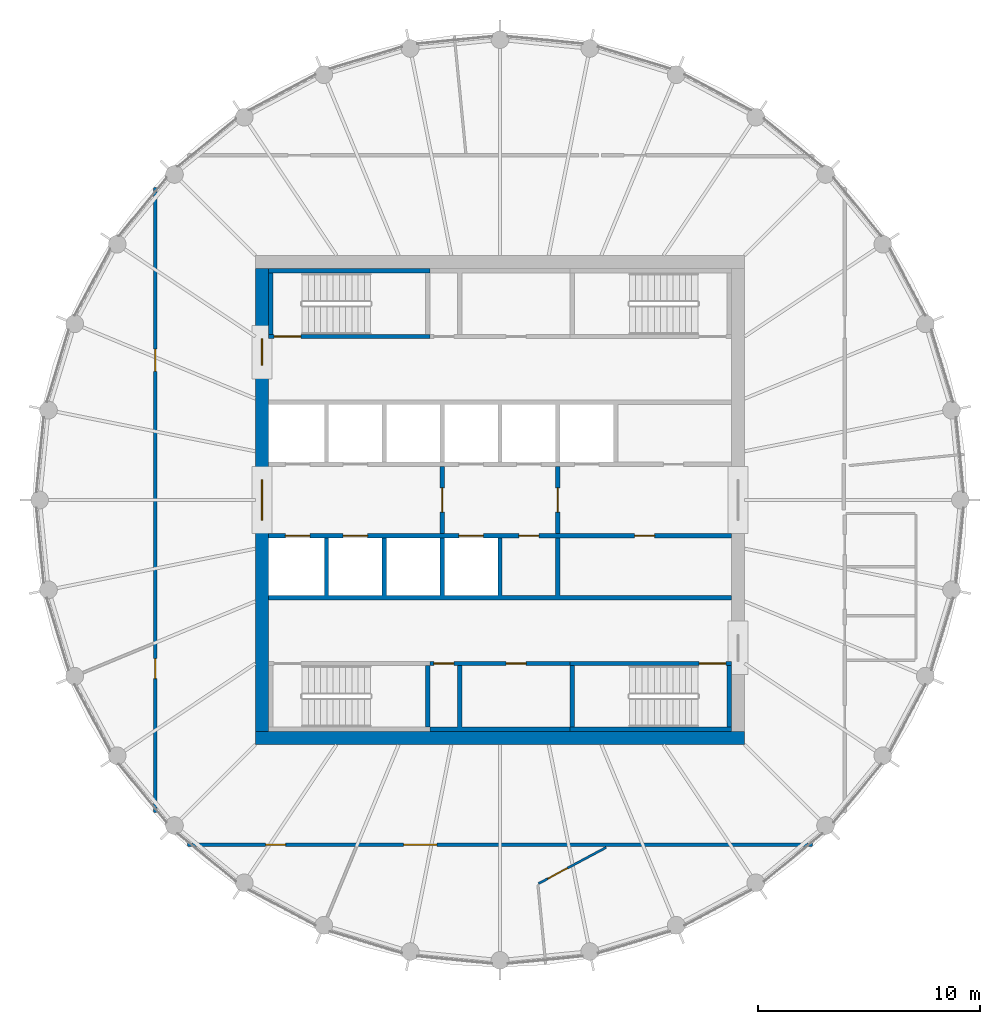
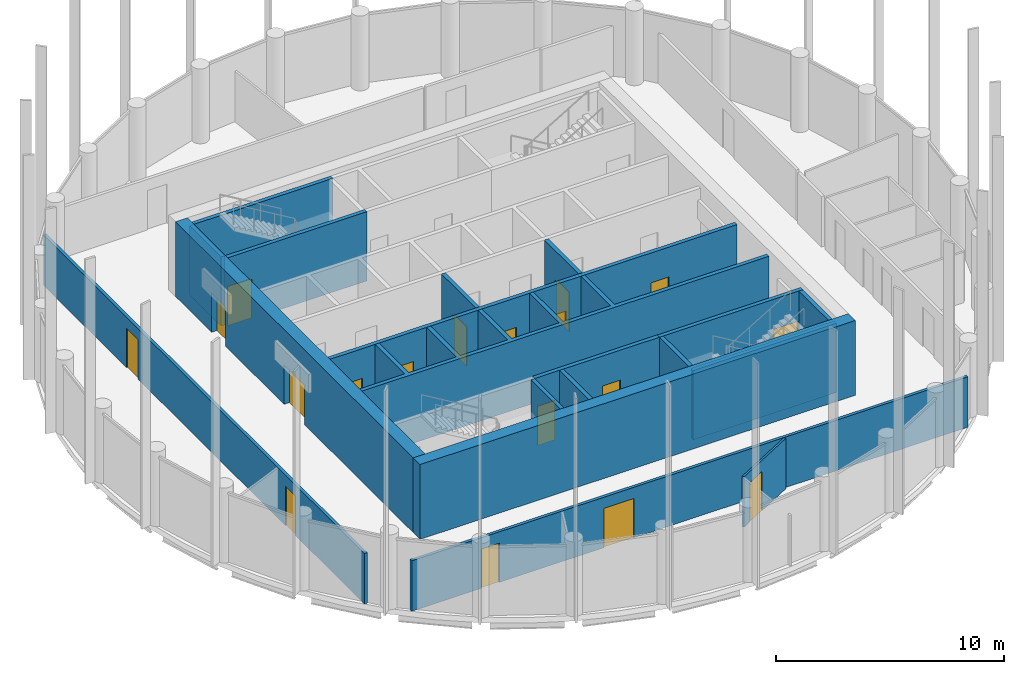
# One storey, part 4 of 7: 19 walls, 18 doors, 18 openings.
"""IFC4 building model written with IfcOpenShell, lengths in metres."""

import ifcopenshell
import ifcopenshell.guid

model = None  # the IFC model being written
_history = None  # IfcOwnerHistory: only IFC2X3 demands one
_inside = {}  # id of a spatial element -> (the spatial element, [elements in it])
_under = {}  # id of a project, library or spatial element -> (it, [spatial elements below it])
_declared = {}  # id of a project -> (the project, [libraries it declares])
_typed = {}  # id of a type object -> (the type object, [elements of that type])
_made_of = {}  # id of a material, layer set ... -> (it, [elements and type objects made of it])


def new_model(schema):
    """Start an empty IFC model of exactly this schema.

    Asked for "IFC4X3", IfcOpenShell would pick the latest addendum, in which some entities
    have other attributes; the version numbers below select the first issue.
    IFC2X3 requires an IfcOwnerHistory on every rooted entity: one is made here for all.
    """
    global model, _history
    if schema == "IFC4X3":
        model = ifcopenshell.file(schema_version=(4, 3, 0, 0))
    else:
        model = ifcopenshell.file(schema=schema)
    _inside.clear()
    _under.clear()
    _declared.clear()
    _typed.clear()
    _made_of.clear()
    _history = None
    if model.schema == "IFC2X3":
        org = make("IfcOrganization", Name="unknown")
        user = make(
            "IfcPersonAndOrganization",
            ThePerson=make("IfcPerson", FamilyName="unknown"),
            TheOrganization=org,
        )
        app = make(
            "IfcApplication",
            ApplicationDeveloper=org,
            Version="unknown",
            ApplicationFullName="unknown",
            ApplicationIdentifier="unknown",
        )
        _history = make(
            "IfcOwnerHistory",
            OwningUser=user,
            OwningApplication=app,
            ChangeAction="ADDED",
            CreationDate=0,
        )
    return model


def make(cls, **values):
    """One entity of the class cls with the attributes given. An attribute that is None is left unset."""
    return model.create_entity(
        cls, **{name: value for name, value in values.items() if value is not None}
    )


def rooted(cls, **values):
    """An entity with a GlobalId (a new one), such as an element, a storey or a relation."""
    return make(cls, GlobalId=ifcopenshell.guid.new(), OwnerHistory=_history, **values)


def si_unit(unit_type, name, prefix=None):
    """IfcSIUnit, for example si_unit("LENGTHUNIT", "METRE", prefix="MILLI")."""
    return make("IfcSIUnit", UnitType=unit_type, Prefix=prefix, Name=name)


def assignment(units):
    """IfcUnitAssignment: the units of a project."""
    return None if units is None else make("IfcUnitAssignment", Units=units)


def point(xyz):
    """IfcCartesianPoint."""
    return None if xyz is None else make("IfcCartesianPoint", Coordinates=xyz)


def direction(xyz):
    """IfcDirection."""
    return None if xyz is None else make("IfcDirection", DirectionRatios=xyz)


def frame(location, z_axis=None, x_axis=None):
    """IfcAxis2Placement3D, a coordinate frame: its origin and axes. An axis left out is left unset."""
    return make(
        "IfcAxis2Placement3D",
        Location=point(location),
        Axis=direction(z_axis),
        RefDirection=direction(x_axis),
    )


def frame_2d(location, x_axis=None):
    """IfcAxis2Placement2D, a coordinate frame in the plane: its origin and x axis."""
    return make(
        "IfcAxis2Placement2D", Location=point(location), RefDirection=direction(x_axis)
    )


def origin():
    """The frame at (0, 0, 0) with its axes left unset."""
    return frame((0.0, 0.0, 0.0))


def place(relative_to, where):
    """IfcLocalPlacement: puts the frame where relative to a parent placement (None: the world)."""
    return make(
        "IfcLocalPlacement", PlacementRelTo=relative_to, RelativePlacement=where
    )


def context(
    kind, dimensions, precision=None, world=None, true_north=None, identifier=None
):
    """IfcGeometricRepresentationContext, for example the 3D "Model" context."""
    return make(
        "IfcGeometricRepresentationContext",
        ContextIdentifier=identifier,
        ContextType=kind,
        CoordinateSpaceDimension=dimensions,
        Precision=precision,
        WorldCoordinateSystem=world,
        TrueNorth=true_north,
    )


def subcontext(parent, identifier, kind, view, scale=None):
    """IfcGeometricRepresentationSubContext, for example "Body" below "Model"."""
    return make(
        "IfcGeometricRepresentationSubContext",
        ContextIdentifier=identifier,
        ContextType=kind,
        ParentContext=parent,
        TargetScale=scale,
        TargetView=view,
    )


def project(units=None, contexts=None):
    """IfcProject with its units and contexts."""
    return rooted(
        "IfcProject",
        Name="project",
        RepresentationContexts=contexts,
        UnitsInContext=assignment(units),
    )


def spatial(cls, under=None, at=None, **own):
    """A site, building, storey or space (cls), placed at a placement, below another one or the project."""
    s = rooted(cls, ObjectPlacement=at, **own)
    if under is not None:
        _under.setdefault(under.id(), (under, []))[1].append(s)
    return s


def polyline(points):
    """IfcPolyline through the points."""
    return make("IfcPolyline", Points=[point(p) for p in points])


def profile(cls, at=None, kind="AREA", **sizes):
    """A parametric profile (cls). Its sizes go by their IFC names, for example OverallWidth=200.0."""
    return make(cls, ProfileType=kind, Position=at, **sizes)


def rectangle(**sizes):
    """IfcRectangleProfileDef."""
    return profile("IfcRectangleProfileDef", **sizes)


def outline(outer, holes=None, kind="AREA"):
    """IfcArbitraryClosedProfileDef: a profile drawn as a closed curve; with holes, ...WithVoids."""
    if holes is None:
        return make("IfcArbitraryClosedProfileDef", ProfileType=kind, OuterCurve=outer)
    return make(
        "IfcArbitraryProfileDefWithVoids",
        ProfileType=kind,
        OuterCurve=outer,
        InnerCurves=holes,
    )


def extrude(swept, where, along, depth):
    """IfcExtrudedAreaSolid: the profile swept, set in the frame where, extruded along a direction by depth."""
    return make(
        "IfcExtrudedAreaSolid",
        SweptArea=swept,
        Position=where,
        ExtrudedDirection=direction(along),
        Depth=depth,
    )


def shape(context_of_items, identifier, shape_type, items):
    """IfcShapeRepresentation: the items that make up one representation, for example the "Body"."""
    return make(
        "IfcShapeRepresentation",
        ContextOfItems=context_of_items,
        RepresentationIdentifier=identifier,
        RepresentationType=shape_type,
        Items=items,
    )


def material(Name=None, Category=None):
    """IfcMaterial."""
    return make("IfcMaterial", Name=Name, Category=Category)


def layer(
    of_material, thickness, ventilated=None, Name=None, Category=None, Priority=None
):
    """IfcMaterialLayer: one layer of a wall or slab, of a material (None: an air gap)."""
    return make(
        "IfcMaterialLayer",
        Material=of_material,
        LayerThickness=thickness,
        IsVentilated=ventilated,
        Name=Name,
        Category=Category,
        Priority=Priority,
    )


def layer_set(layers, Name=None):
    """IfcMaterialLayerSet."""
    return make("IfcMaterialLayerSet", MaterialLayers=layers, LayerSetName=Name)


def made_of(thing, what):
    """Note that an element or type object is made of a material, layer set ...; save() writes the relation."""
    if what is not None:
        _made_of.setdefault(what.id(), (what, []))[1].append(thing)
    return thing


def type_object(cls, material=None, **own):
    """A type object (cls), such as IfcWallType, which elements share."""
    return made_of(rooted(cls, **own), material)


def element(
    cls,
    number,
    at=None,
    inside=None,
    cuts=None,
    type_object=None,
    material=None,
    context=None,
    identifier="Body",
    shape_type=None,
    held_by="IfcProductDefinitionShape",
    body=None,
    shapes=None,
    **own,
):
    """One element of the class cls, such as IfcWall. Its Tag is "e" and its number.

    at: its placement. inside: the storey or other place that contains it. cuts: it is an
    opening in that element (IfcRelVoidsElement). A single representation is given by context,
    identifier, shape_type and body (its items); several are given by shapes. held_by: the class
    of the entity that holds the representations. save() writes the other relations.
    """
    e = rooted(cls, Tag="e%d" % number, ObjectPlacement=at, **own)
    if body is not None:
        shapes = [shape(context, identifier, shape_type, body)]
    if shapes is not None:
        e.Representation = make(held_by, Representations=shapes)
    if inside is not None:
        _inside.setdefault(inside.id(), (inside, []))[1].append(e)
    if cuts is not None:
        rooted(
            "IfcRelVoidsElement", RelatingBuildingElement=cuts, RelatedOpeningElement=e
        )
    if type_object is not None:
        _typed.setdefault(type_object.id(), (type_object, []))[1].append(e)
    return made_of(e, material)


def fill(opening, filler):
    """IfcRelFillsElement: the door or window that sits in an opening."""
    return rooted(
        "IfcRelFillsElement",
        RelatingOpeningElement=opening,
        RelatedBuildingElement=filler,
    )


def aggregate(whole, parts):
    """IfcRelAggregates: a whole, such as a stair, and the parts it consists of."""
    return rooted("IfcRelAggregates", RelatingObject=whole, RelatedObjects=parts)


def save(model, path):
    """Write the relations noted so far, then the file.

    IfcRelAggregates (storeys below a building ...), IfcRelContainedInSpatialStructure (elements
    in a storey), IfcRelDefinesByType, IfcRelAssociatesMaterial and IfcRelDeclares: one each for
    every whole, place, type object, material and project.
    """
    for whole, parts in _under.values():
        aggregate(whole, parts)
    for where, things in _inside.values():
        rooted(
            "IfcRelContainedInSpatialStructure",
            RelatedElements=things,
            RelatingStructure=where,
        )
    for kind, things in _typed.values():
        rooted("IfcRelDefinesByType", RelatedObjects=things, RelatingType=kind)
    for what, things in _made_of.values():
        rooted("IfcRelAssociatesMaterial", RelatedObjects=things, RelatingMaterial=what)
    for by, libraries in _declared.values():
        rooted("IfcRelDeclares", RelatingContext=by, RelatedDefinitions=libraries)
    model.write(path)


model = new_model("IFC4")

# Units and contexts
model_context = context("Model", 3, precision=1e-05, world=origin(), true_north=direction((0.0, 1.0)))
body_context = subcontext(model_context, "Body", "Model", "MODEL_VIEW")
ifc_project = project(units=[si_unit("LENGTHUNIT", "METRE"), si_unit("AREAUNIT", "SQUARE_METRE"), si_unit("VOLUMEUNIT", "CUBIC_METRE"), si_unit("PLANEANGLEUNIT", "RADIAN"), si_unit("MASSUNIT", "GRAM", prefix="KILO")], contexts=[model_context])

# Site, building, storey
site_placement = place(None, origin())
site = spatial("IfcSite", under=ifc_project, at=site_placement, CompositionType="ELEMENT")
building_placement = place(site_placement, origin())
building = spatial("IfcBuilding", under=site, at=building_placement, Name="Corvane Civic Tower", CompositionType="ELEMENT")
storey_placement = place(building_placement, frame((0.0, 0.0, 356.5)))
storey = spatial("IfcBuildingStorey", under=building, at=storey_placement, Name="L85", CompositionType="ELEMENT", Elevation=356.5)

# Wall
ifc_material_1 = material(Name="Concrete C40/50", Category="concrete")
ifc_layer_1 = layer(ifc_material_1, 0.60009765625)
ifc_layer_set_1 = layer_set([ifc_layer_1], Name="Concrete C40/50")
wall_type_1 = type_object("IfcWallType", Name="CORE WALL 600 C40/50", PredefinedType="SHEAR", material=ifc_layer_set_1)
wall_1_placement = place(storey_placement, frame((-11.0, -10.699951171875, 0.0), z_axis=(0.0, 0.0, 1.0), x_axis=(1.0, 0.0, 0.0)))
element("IfcWall", 1, at=wall_1_placement, inside=storey, type_object=wall_type_1, Name="W-L85-core-S", PredefinedType="SHEAR", context=body_context, shape_type="SweptSolid", body=[
    extrude(rectangle(XDim=22.0, YDim=0.60009765625, at=frame_2d((11.0, 0.0))), origin(), (0.0, 0.0, 1.0), 4.0),
])

# Wall, openings, doors
wall_2_placement = place(storey_placement, frame((-10.699951171875, -10.39990234375, 0.0), z_axis=(0.0, 0.0, 1.0), x_axis=(0.0, 1.0, 0.0)))
wall_2 = element("IfcWall", 2, at=wall_2_placement, inside=storey, type_object=wall_type_1, Name="W-L85-core-W", PredefinedType="SHEAR", context=body_context, shape_type="SweptSolid", body=[
    extrude(rectangle(XDim=20.7998046875, YDim=0.60009765625, at=frame_2d((10.39990234375, 0.0))), origin(), (0.0, 0.0, 1.0), 4.0),
])
opening_1_placement = place(wall_2_placement, frame((9.5, 0.0, 0.0)))
opening_1 = element("IfcOpeningElement", 3, at=opening_1_placement, cuts=wall_2, Name="Opening L85.C14", PredefinedType="OPENING", context=body_context, shape_type="SweptSolid", body=[
    extrude(rectangle(XDim=1.800048828125, YDim=2.10009765625, at=frame_2d((0.89990234375, 1.050048828125))), frame((0.0, 0.31005859375, 0.0), z_axis=(0.0, -1.0, 0.0), x_axis=(1.0, 0.0, 0.0)), (0.0, 0.0, 1.0), 0.6201171875),
])
opening_2_placement = place(wall_2_placement, frame((16.449951171875, 0.0, 0.0)))
opening_2 = element("IfcOpeningElement", 4, at=opening_2_placement, cuts=wall_2, Name="Opening L85.C16", PredefinedType="OPENING", context=body_context, shape_type="SweptSolid", body=[
    extrude(rectangle(XDim=1.199951171875, YDim=2.10009765625, at=frame_2d((0.60009765625, 1.050048828125))), frame((0.0, 0.31005859375, 0.0), z_axis=(0.0, -1.0, 0.0), x_axis=(1.0, 0.0, 0.0)), (0.0, 0.0, 1.0), 0.6201171875),
])
ifc_material_2 = material(Name="Steel fire door leaf", Category="steel")
door_type_1 = type_object("IfcDoorType", Name="CR-DOOR-CORE-1800", OperationType="DOUBLE_DOOR_SINGLE_SWING", PredefinedType="DOOR", material=ifc_material_2)
door_1_placement = place(opening_1_placement, origin())
door_1 = element("IfcDoor", 5, at=door_1_placement, inside=storey, type_object=door_type_1, Name="L85 door", OperationType="DOUBLE_DOOR_SINGLE_SWING", OverallHeight=2.10009765625, OverallWidth=1.800048828125, PredefinedType="DOOR", context=body_context, shape_type="SweptSolid", body=[
    extrude(rectangle(XDim=1.800048828125, YDim=2.10009765625, at=frame_2d((0.89990234375, 1.050048828125))), frame((0.0, 0.02490234375, 0.0), z_axis=(0.0, -1.0, 0.0), x_axis=(1.0, 0.0, 0.0)), (0.0, 0.0, 1.0), 0.050048828125),
])
fill(opening_1, door_1)
door_2_placement = place(opening_2_placement, origin())
door_2 = element("IfcDoor", 6, at=door_2_placement, inside=storey, type_object=door_type_1, Name="L85 door", OperationType="DOUBLE_DOOR_SINGLE_SWING", OverallHeight=2.10009765625, OverallWidth=1.199951171875, PredefinedType="DOOR", context=body_context, shape_type="SweptSolid", body=[
    extrude(rectangle(XDim=1.199951171875, YDim=2.10009765625, at=frame_2d((0.60009765625, 1.050048828125))), frame((0.0, 0.02490234375, 0.0), z_axis=(0.0, -1.0, 0.0), x_axis=(1.0, 0.0, 0.0)), (0.0, 0.0, 1.0), 0.050048828125),
])
fill(opening_2, door_2)

ifc_material_3 = material(Name="Concrete C30/37", Category="concrete")
ifc_layer_2 = layer(ifc_material_3, 0.199951171875)
ifc_layer_set_2 = layer_set([ifc_layer_2], Name="Concrete C30/37")
wall_type_2 = type_object("IfcWallType", Name="CR-WALL-200", PredefinedType="PARTITIONING", material=ifc_layer_set_2)
wall_3_placement = place(storey_placement, frame((-3.14990234375, -7.35009765625, 0.0), z_axis=(0.0, 0.0, 1.0), x_axis=(1.0, 0.0, 0.0)))
wall_3 = element("IfcWall", 7, at=wall_3_placement, inside=storey, type_object=wall_type_2, Name="L85 core partition wall", PredefinedType="PARTITIONING", context=body_context, shape_type="SweptSolid", body=[
    extrude(rectangle(XDim=6.2998046875, YDim=0.199951171875, at=frame_2d((3.14990234375, 0.0))), origin(), (0.0, 0.0, 1.0), 3.699951171875),
])
opening_3_placement = place(wall_3_placement, frame((0.175048828125, 0.0, 0.0)))
opening_3 = element("IfcOpeningElement", 8, at=opening_3_placement, cuts=wall_3, Name="Opening L85.C06", PredefinedType="OPENING", context=body_context, shape_type="SweptSolid", body=[
    extrude(rectangle(XDim=0.89990234375, YDim=2.10009765625, at=frame_2d((0.449951171875, 1.050048828125))), frame((0.0, 0.10986328125, 0.0), z_axis=(0.0, -1.0, 0.0), x_axis=(1.0, 0.0, 0.0)), (0.0, 0.0, 1.0), 0.219970703125),
])
opening_4_placement = place(wall_3_placement, frame((3.425048828125, 0.0, 0.0)))
opening_4 = element("IfcOpeningElement", 9, at=opening_4_placement, cuts=wall_3, Name="Opening L85.C07", PredefinedType="OPENING", context=body_context, shape_type="SweptSolid", body=[
    extrude(rectangle(XDim=0.89990234375, YDim=2.10009765625, at=frame_2d((0.449951171875, 1.050048828125))), frame((0.0, 0.10986328125, 0.0), z_axis=(0.0, -1.0, 0.0), x_axis=(1.0, 0.0, 0.0)), (0.0, 0.0, 1.0), 0.219970703125),
])
ifc_material_4 = material(Name="Steel fire door leaf", Category="steel")
door_type_2 = type_object("IfcDoorType", Name="CR-DOOR-900", OperationType="SINGLE_SWING_LEFT", PredefinedType="DOOR", material=ifc_material_4)
door_3_placement = place(opening_3_placement, origin())
door_3 = element("IfcDoor", 10, at=door_3_placement, inside=storey, type_object=door_type_2, Name="L85 door", OperationType="SINGLE_SWING_LEFT", OverallHeight=2.10009765625, OverallWidth=0.89990234375, PredefinedType="DOOR", context=body_context, shape_type="SweptSolid", body=[
    extrude(rectangle(XDim=0.89990234375, YDim=2.10009765625, at=frame_2d((0.449951171875, 1.050048828125))), frame((0.0, 0.02490234375, 0.0), z_axis=(0.0, -1.0, 0.0), x_axis=(1.0, 0.0, 0.0)), (0.0, 0.0, 1.0), 0.050048828125),
])
fill(opening_3, door_3)
door_4_placement = place(opening_4_placement, origin())
door_4 = element("IfcDoor", 11, at=door_4_placement, inside=storey, type_object=door_type_2, Name="L85 door", OperationType="SINGLE_SWING_LEFT", OverallHeight=2.10009765625, OverallWidth=0.89990234375, PredefinedType="DOOR", context=body_context, shape_type="SweptSolid", body=[
    extrude(rectangle(XDim=0.89990234375, YDim=2.10009765625, at=frame_2d((0.449951171875, 1.050048828125))), frame((0.0, 0.02490234375, 0.0), z_axis=(0.0, -1.0, 0.0), x_axis=(1.0, 0.0, 0.0)), (0.0, 0.0, 1.0), 0.050048828125),
])
fill(opening_4, door_4)

wall_4_placement = place(storey_placement, frame((-10.39990234375, -1.60009765625, 0.0), z_axis=(0.0, 0.0, 1.0), x_axis=(1.0, 0.0, 0.0)))
wall_4 = element("IfcWall", 12, at=wall_4_placement, inside=storey, type_object=wall_type_2, Name="L85 lift shaft wall", PredefinedType="PARTITIONING", context=body_context, shape_type="SweptSolid", body=[
    extrude(rectangle(XDim=20.7998046875, YDim=0.199951171875, at=frame_2d((10.39990234375, 0.0))), origin(), (0.0, 0.0, 1.0), 3.699951171875),
])
opening_5_placement = place(wall_4_placement, frame((0.75, 0.0, 0.0)))
opening_5 = element("IfcOpeningElement", 13, at=opening_5_placement, cuts=wall_4, Name="Opening LD", PredefinedType="OPENING", context=body_context, shape_type="SweptSolid", body=[
    extrude(rectangle(XDim=1.10009765625, YDim=2.10009765625, at=frame_2d((0.550048828125, 1.050048828125))), frame((0.0, 0.10986328125, 0.0), z_axis=(0.0, -1.0, 0.0), x_axis=(1.0, 0.0, 0.0)), (0.0, 0.0, 1.0), 0.219970703125),
])
opening_6_placement = place(wall_4_placement, frame((3.35009765625, 0.0, 0.0)))
opening_6 = element("IfcOpeningElement", 14, at=opening_6_placement, cuts=wall_4, Name="Opening LD", PredefinedType="OPENING", context=body_context, shape_type="SweptSolid", body=[
    extrude(rectangle(XDim=1.10009765625, YDim=2.10009765625, at=frame_2d((0.550048828125, 1.050048828125))), frame((0.0, 0.10986328125, 0.0), z_axis=(0.0, -1.0, 0.0), x_axis=(1.0, 0.0, 0.0)), (0.0, 0.0, 1.0), 0.219970703125),
])
opening_7_placement = place(wall_4_placement, frame((8.550048828125, 0.0, 0.0)))
opening_7 = element("IfcOpeningElement", 15, at=opening_7_placement, cuts=wall_4, Name="Opening LD", PredefinedType="OPENING", context=body_context, shape_type="SweptSolid", body=[
    extrude(rectangle(XDim=1.10009765625, YDim=2.10009765625, at=frame_2d((0.550048828125, 1.050048828125))), frame((0.0, 0.10986328125, 0.0), z_axis=(0.0, -1.0, 0.0), x_axis=(1.0, 0.0, 0.0)), (0.0, 0.0, 1.0), 0.219970703125),
])
opening_8_placement = place(wall_4_placement, frame((11.25, 0.0, 0.0)))
opening_8 = element("IfcOpeningElement", 16, at=opening_8_placement, cuts=wall_4, Name="Opening L85.C02", PredefinedType="OPENING", context=body_context, shape_type="SweptSolid", body=[
    extrude(rectangle(XDim=0.89990234375, YDim=2.10009765625, at=frame_2d((0.449951171875, 1.050048828125))), frame((0.0, 0.10986328125, 0.0), z_axis=(0.0, -1.0, 0.0), x_axis=(1.0, 0.0, 0.0)), (0.0, 0.0, 1.0), 0.219970703125),
])
opening_9_placement = place(wall_4_placement, frame((16.449951171875, 0.0, 0.0)))
opening_9 = element("IfcOpeningElement", 17, at=opening_9_placement, cuts=wall_4, Name="Opening L85.C03", PredefinedType="OPENING", context=body_context, shape_type="SweptSolid", body=[
    extrude(rectangle(XDim=0.89990234375, YDim=2.10009765625, at=frame_2d((0.449951171875, 1.050048828125))), frame((0.0, 0.10986328125, 0.0), z_axis=(0.0, -1.0, 0.0), x_axis=(1.0, 0.0, 0.0)), (0.0, 0.0, 1.0), 0.219970703125),
])
door_5_placement = place(opening_8_placement, origin())
door_5 = element("IfcDoor", 18, at=door_5_placement, inside=storey, type_object=door_type_2, Name="L85 door", OperationType="SINGLE_SWING_LEFT", OverallHeight=2.10009765625, OverallWidth=0.89990234375, PredefinedType="DOOR", context=body_context, shape_type="SweptSolid", body=[
    extrude(rectangle(XDim=0.89990234375, YDim=2.10009765625, at=frame_2d((0.449951171875, 1.050048828125))), frame((0.0, 0.02490234375, 0.0), z_axis=(0.0, -1.0, 0.0), x_axis=(1.0, 0.0, 0.0)), (0.0, 0.0, 1.0), 0.050048828125),
])
fill(opening_8, door_5)
door_6_placement = place(opening_9_placement, origin())
door_6 = element("IfcDoor", 19, at=door_6_placement, inside=storey, type_object=door_type_2, Name="L85 door", OperationType="SINGLE_SWING_LEFT", OverallHeight=2.10009765625, OverallWidth=0.89990234375, PredefinedType="DOOR", context=body_context, shape_type="SweptSolid", body=[
    extrude(rectangle(XDim=0.89990234375, YDim=2.10009765625, at=frame_2d((0.449951171875, 1.050048828125))), frame((0.0, 0.02490234375, 0.0), z_axis=(0.0, -1.0, 0.0), x_axis=(1.0, 0.0, 0.0)), (0.0, 0.0, 1.0), 0.050048828125),
])
fill(opening_9, door_6)
ifc_material_5 = material(Name="Stainless steel 316 door leaves", Category="steel")
door_type_3 = type_object("IfcDoorType", Name="LD", OperationType="DOUBLE_DOOR_SLIDING", PredefinedType="DOOR", material=ifc_material_5)
door_7_placement = place(opening_5_placement, origin())
door_7 = element("IfcDoor", 20, at=door_7_placement, inside=storey, type_object=door_type_3, Name="L85 landing door", OperationType="DOUBLE_DOOR_SLIDING", OverallHeight=2.10009765625, OverallWidth=1.10009765625, PredefinedType="DOOR", context=body_context, shape_type="SweptSolid", body=[
    extrude(rectangle(XDim=1.10009765625, YDim=2.10009765625, at=frame_2d((0.550048828125, 1.050048828125))), frame((0.0, 0.02490234375, 0.0), z_axis=(0.0, -1.0, 0.0), x_axis=(1.0, 0.0, 0.0)), (0.0, 0.0, 1.0), 0.050048828125),
])
fill(opening_5, door_7)
door_8_placement = place(opening_6_placement, origin())
door_8 = element("IfcDoor", 21, at=door_8_placement, inside=storey, type_object=door_type_3, Name="L85 landing door", OperationType="DOUBLE_DOOR_SLIDING", OverallHeight=2.10009765625, OverallWidth=1.10009765625, PredefinedType="DOOR", context=body_context, shape_type="SweptSolid", body=[
    extrude(rectangle(XDim=1.10009765625, YDim=2.10009765625, at=frame_2d((0.550048828125, 1.050048828125))), frame((0.0, 0.02490234375, 0.0), z_axis=(0.0, -1.0, 0.0), x_axis=(1.0, 0.0, 0.0)), (0.0, 0.0, 1.0), 0.050048828125),
])
fill(opening_6, door_8)
door_9_placement = place(opening_7_placement, origin())
door_9 = element("IfcDoor", 22, at=door_9_placement, inside=storey, type_object=door_type_3, Name="L85 landing door", OperationType="DOUBLE_DOOR_SLIDING", OverallHeight=2.10009765625, OverallWidth=1.10009765625, PredefinedType="DOOR", context=body_context, shape_type="SweptSolid", body=[
    extrude(rectangle(XDim=1.10009765625, YDim=2.10009765625, at=frame_2d((0.550048828125, 1.050048828125))), frame((0.0, 0.02490234375, 0.0), z_axis=(0.0, -1.0, 0.0), x_axis=(1.0, 0.0, 0.0)), (0.0, 0.0, 1.0), 0.050048828125),
])
fill(opening_7, door_9)

# Wall, opening, door
wall_5_placement = place(storey_placement, frame((-2.60009765625, -1.5, 0.0), z_axis=(0.0, 0.0, 1.0), x_axis=(0.0, 1.0, 0.0)))
wall_5 = element("IfcWall", 23, at=wall_5_placement, inside=storey, type_object=wall_type_2, Name="L85 firefighting lobby wall", PredefinedType="PARTITIONING", context=body_context, shape_type="SweptSolid", body=[
    extrude(rectangle(XDim=3.0, YDim=0.199951171875, at=frame_2d((1.5, 0.0))), origin(), (0.0, 0.0, 1.0), 3.699951171875),
])
opening_10_placement = place(wall_5_placement, frame((0.949951171875, 0.0, 0.0)))
opening_10 = element("IfcOpeningElement", 24, at=opening_10_placement, cuts=wall_5, Name="Opening L85.C12", PredefinedType="OPENING", context=body_context, shape_type="SweptSolid", body=[
    extrude(rectangle(XDim=1.10009765625, YDim=2.10009765625, at=frame_2d((0.550048828125, 1.050048828125))), frame((0.0, 0.10986328125, 0.0), z_axis=(0.0, -1.0, 0.0), x_axis=(1.0, 0.0, 0.0)), (0.0, 0.0, 1.0), 0.219970703125),
])
ifc_material_6 = material(Name="Steel fire door leaf", Category="steel")
door_type_4 = type_object("IfcDoorType", Name="CR-DOOR-FFL-1100", OperationType="SINGLE_SWING_LEFT", PredefinedType="DOOR", material=ifc_material_6)
door_10_placement = place(opening_10_placement, origin())
door_10 = element("IfcDoor", 25, at=door_10_placement, inside=storey, type_object=door_type_4, Name="L85 lobby door", OperationType="SINGLE_SWING_LEFT", OverallHeight=2.10009765625, OverallWidth=1.10009765625, PredefinedType="DOOR", context=body_context, shape_type="SweptSolid", body=[
    extrude(rectangle(XDim=1.10009765625, YDim=2.10009765625, at=frame_2d((0.550048828125, 1.050048828125))), frame((0.0, 0.02490234375, 0.0), z_axis=(0.0, -1.0, 0.0), x_axis=(1.0, 0.0, 0.0)), (0.0, 0.0, 1.0), 0.050048828125),
])
fill(opening_10, door_10)

wall_6_placement = place(storey_placement, frame((2.60009765625, -1.5, 0.0), z_axis=(0.0, 0.0, 1.0), x_axis=(0.0, 1.0, 0.0)))
wall_6 = element("IfcWall", 26, at=wall_6_placement, inside=storey, type_object=wall_type_2, Name="L85 firefighting lobby wall", PredefinedType="PARTITIONING", context=body_context, shape_type="SweptSolid", body=[
    extrude(rectangle(XDim=3.0, YDim=0.199951171875, at=frame_2d((1.5, 0.0))), origin(), (0.0, 0.0, 1.0), 3.699951171875),
])
opening_11_placement = place(wall_6_placement, frame((0.949951171875, 0.0, 0.0)))
opening_11 = element("IfcOpeningElement", 27, at=opening_11_placement, cuts=wall_6, Name="Opening L85.C13", PredefinedType="OPENING", context=body_context, shape_type="SweptSolid", body=[
    extrude(rectangle(XDim=1.10009765625, YDim=2.10009765625, at=frame_2d((0.550048828125, 1.050048828125))), frame((0.0, 0.10986328125, 0.0), z_axis=(0.0, -1.0, 0.0), x_axis=(1.0, 0.0, 0.0)), (0.0, 0.0, 1.0), 0.219970703125),
])
door_11_placement = place(opening_11_placement, origin())
door_11 = element("IfcDoor", 28, at=door_11_placement, inside=storey, type_object=door_type_4, Name="L85 lobby door", OperationType="SINGLE_SWING_LEFT", OverallHeight=2.10009765625, OverallWidth=1.10009765625, PredefinedType="DOOR", context=body_context, shape_type="SweptSolid", body=[
    extrude(rectangle(XDim=1.10009765625, YDim=2.10009765625, at=frame_2d((0.550048828125, 1.050048828125))), frame((0.0, 0.02490234375, 0.0), z_axis=(0.0, -1.0, 0.0), x_axis=(1.0, 0.0, 0.0)), (0.0, 0.0, 1.0), 0.050048828125),
])
fill(opening_11, door_11)

# Walls
wall_7_placement = place(storey_placement, origin())
element("IfcWall", 29, at=wall_7_placement, inside=storey, type_object=wall_type_2, Name="L85 core partition wall", PredefinedType="PARTITIONING", context=body_context, shape_type="SweptSolid", body=[
    extrude(outline(polyline([(-7.89990234375, -1.699951171875), (-7.699951171875, -1.699951171875), (-7.699951171875, -4.300048828125), (-5.300048828125, -4.300048828125), (-5.300048828125, -1.699951171875), (-5.10009765625, -1.699951171875), (-5.10009765625, -4.300048828125), (-2.699951171875, -4.300048828125), (-2.699951171875, -1.699951171875), (-2.5, -1.699951171875), (-2.5, -4.300048828125), (-0.10009765625, -4.300048828125), (-0.10009765625, -1.699951171875), (0.10009765625, -1.699951171875), (0.10009765625, -4.300048828125), (2.5, -4.300048828125), (2.5, -1.699951171875), (2.699951171875, -1.699951171875), (2.699951171875, -4.300048828125), (10.39990234375, -4.300048828125), (10.39990234375, -4.5), (-10.39990234375, -4.5), (-10.39990234375, -4.300048828125), (-7.89990234375, -4.300048828125), (-7.89990234375, -1.699951171875)])), origin(), (0.0, 0.0, 1.0), 3.699951171875),
])
wall_8_placement = place(storey_placement, origin())
element("IfcWall", 30, at=wall_8_placement, inside=storey, type_object=wall_type_2, Name="L85 core partition wall", PredefinedType="PARTITIONING", context=body_context, shape_type="SweptSolid", body=[
    extrude(outline(polyline([(-1.89990234375, -7.449951171875), (-1.699951171875, -7.449951171875), (-1.699951171875, -10.199951171875), (3.14990234375, -10.199951171875), (3.14990234375, -10.39990234375), (-3.14990234375, -10.39990234375), (-3.14990234375, -10.199951171875), (-1.89990234375, -10.199951171875), (-1.89990234375, -7.449951171875)])), origin(), (0.0, 0.0, 1.0), 3.699951171875),
])

# Wall, opening, door
ifc_material_7 = material(Name="Plasterboard")
ifc_layer_3 = layer(ifc_material_7, 0.10009765625)
ifc_layer_set_3 = layer_set([ifc_layer_3], Name="Plasterboard")
wall_type_3 = type_object("IfcWallType", Name="Partition 100 plasterboard on studs", PredefinedType="PARTITIONING", material=ifc_layer_set_3)
wall_9_placement = place(storey_placement, frame((1.729736328125, -17.24658203125, 0.0), z_axis=(0.0, 0.0, 1.0), x_axis=(0.881933696046, 0.471373478018, 0.0)))
wall_9 = element("IfcWall", 31, at=wall_9_placement, inside=storey, type_object=wall_type_3, Name="Partition L85.003", PredefinedType="PARTITIONING", context=body_context, shape_type="SweptSolid", body=[
    extrude(rectangle(XDim=3.45263671875, YDim=0.10009765625, at=frame_2d((1.726318359375, 0.0))), origin(), (0.0, 0.0, 1.0), 2.699951171875),
])
opening_12_placement = place(wall_9_placement, frame((0.48046875, 0.0, 0.0)))
opening_12 = element("IfcOpeningElement", 32, at=opening_12_placement, cuts=wall_9, Name="Opening L85.011", PredefinedType="OPENING", context=body_context, shape_type="SweptSolid", body=[
    extrude(rectangle(XDim=1.0, YDim=2.10009765625, at=frame_2d((0.5, 1.050048828125))), frame((0.0, 0.06005859375, 0.0), z_axis=(0.0, -1.0, 0.0), x_axis=(1.0, 0.0, 0.0)), (0.0, 0.0, 1.0), 0.1201171875),
])
ifc_material_8 = material(Name="Timber", Category="wood")
door_type_5 = type_object("IfcDoorType", Name="Single door 1000", OperationType="NOTDEFINED", PredefinedType="DOOR", material=ifc_material_8)
door_12_placement = place(opening_12_placement, frame((1.0, 0.0, 0.0), z_axis=(0.0, 0.0, 1.0), x_axis=(-1.0, 0.0, 0.0)))
door_12 = element("IfcDoor", 33, at=door_12_placement, inside=storey, type_object=door_type_5, Name="Door L85.011", OperationType="SINGLE_SWING_RIGHT", OverallHeight=2.10009765625, OverallWidth=1.0, PredefinedType="DOOR", context=body_context, shape_type="SweptSolid", body=[
    extrude(rectangle(XDim=1.0, YDim=2.10009765625, at=frame_2d((0.5, 1.050048828125))), frame((0.0, 0.02490234375, 0.0), z_axis=(0.0, -1.0, 0.0), x_axis=(1.0, 0.0, 0.0)), (0.0, 0.0, 1.0), 0.050048828125),
])
fill(opening_12, door_12)

ifc_material_9 = material(Name="Concrete C50/60", Category="concrete")
ifc_layer_4 = layer(ifc_material_9, 0.199951171875)
ifc_layer_set_4 = layer_set([ifc_layer_4], Name="Concrete C50/60")
wall_type_4 = type_object("IfcWallType", Name="ST-WALL-200", PredefinedType="SHEAR", material=ifc_layer_set_4)
wall_10_placement = place(storey_placement, frame((3.14990234375, -7.35009765625, 0.0), z_axis=(0.0, 0.0, 1.0), x_axis=(1.0, 0.0, 0.0)))
wall_10 = element("IfcWall", 34, at=wall_10_placement, inside=storey, type_object=wall_type_4, Name="L85 stair enclosure wall", PredefinedType="SHEAR", context=body_context, shape_type="SweptSolid", body=[
    extrude(rectangle(XDim=7.25, YDim=0.199951171875, at=frame_2d((3.625, 0.0))), origin(), (0.0, 0.0, 1.0), 3.699951171875),
])
opening_13_placement = place(wall_10_placement, frame((5.800048828125, 0.0, 0.0)))
opening_13 = element("IfcOpeningElement", 35, at=opening_13_placement, cuts=wall_10, Name="Opening L85.C10", PredefinedType="OPENING", context=body_context, shape_type="SweptSolid", body=[
    extrude(rectangle(XDim=1.199951171875, YDim=2.10009765625, at=frame_2d((0.60009765625, 1.050048828125))), frame((0.0, 0.10986328125, 0.0), z_axis=(0.0, -1.0, 0.0), x_axis=(1.0, 0.0, 0.0)), (0.0, 0.0, 1.0), 0.219970703125),
])
ifc_material_10 = material(Name="Steel fire door leaf", Category="steel")
door_type_6 = type_object("IfcDoorType", Name="ST-DOOR-1200", OperationType="SINGLE_SWING_RIGHT", PredefinedType="DOOR", material=ifc_material_10)
door_13_placement = place(opening_13_placement, origin())
door_13 = element("IfcDoor", 36, at=door_13_placement, inside=storey, type_object=door_type_6, Name="L85 stair door", OperationType="SINGLE_SWING_RIGHT", OverallHeight=2.10009765625, OverallWidth=1.199951171875, PredefinedType="DOOR", context=body_context, shape_type="SweptSolid", body=[
    extrude(rectangle(XDim=1.199951171875, YDim=2.10009765625, at=frame_2d((0.60009765625, 1.050048828125))), frame((0.0, 0.02490234375, 0.0), z_axis=(0.0, -1.0, 0.0), x_axis=(1.0, 0.0, 0.0)), (0.0, 0.0, 1.0), 0.050048828125),
])
fill(opening_13, door_13)

wall_11_placement = place(storey_placement, frame((-10.39990234375, 7.35009765625, 0.0), z_axis=(0.0, 0.0, 1.0), x_axis=(1.0, 0.0, 0.0)))
wall_11 = element("IfcWall", 37, at=wall_11_placement, inside=storey, type_object=wall_type_4, Name="L85 stair enclosure wall", PredefinedType="SHEAR", context=body_context, shape_type="SweptSolid", body=[
    extrude(rectangle(XDim=7.25, YDim=0.199951171875, at=frame_2d((3.625, 0.0))), origin(), (0.0, 0.0, 1.0), 3.699951171875),
])
opening_14_placement = place(wall_11_placement, frame((0.25, 0.0, 0.0)))
opening_14 = element("IfcOpeningElement", 38, at=opening_14_placement, cuts=wall_11, Name="Opening L85.C09", PredefinedType="OPENING", context=body_context, shape_type="SweptSolid", body=[
    extrude(rectangle(XDim=1.199951171875, YDim=2.10009765625, at=frame_2d((0.60009765625, 1.050048828125))), frame((0.0, 0.10986328125, 0.0), z_axis=(0.0, -1.0, 0.0), x_axis=(1.0, 0.0, 0.0)), (0.0, 0.0, 1.0), 0.219970703125),
])
door_14_placement = place(opening_14_placement, origin())
door_14 = element("IfcDoor", 39, at=door_14_placement, inside=storey, type_object=door_type_6, Name="L85 stair door", OperationType="SINGLE_SWING_RIGHT", OverallHeight=2.10009765625, OverallWidth=1.199951171875, PredefinedType="DOOR", context=body_context, shape_type="SweptSolid", body=[
    extrude(rectangle(XDim=1.199951171875, YDim=2.10009765625, at=frame_2d((0.60009765625, 1.050048828125))), frame((0.0, 0.02490234375, 0.0), z_axis=(0.0, -1.0, 0.0), x_axis=(1.0, 0.0, 0.0)), (0.0, 0.0, 1.0), 0.050048828125),
])
fill(opening_14, door_14)

# Walls
wall_12_placement = place(storey_placement, origin())
element("IfcWall", 40, at=wall_12_placement, inside=storey, type_object=wall_type_4, Name="L85 stair enclosure wall", PredefinedType="SHEAR", context=body_context, shape_type="SweptSolid", body=[
    extrude(outline(polyline([(-3.14990234375, 10.199951171875), (-10.39990234375, 10.199951171875), (-10.39990234375, 10.39990234375), (-3.14990234375, 10.39990234375), (-3.14990234375, 10.199951171875)])), origin(), (0.0, 0.0, 1.0), 3.699951171875),
])
wall_13_placement = place(storey_placement, origin())
element("IfcWall", 41, at=wall_13_placement, inside=storey, type_object=wall_type_4, Name="L85 stair enclosure wall", PredefinedType="SHEAR", context=body_context, shape_type="SweptSolid", body=[
    extrude(outline(polyline([(10.39990234375, -10.39990234375), (3.14990234375, -10.39990234375), (3.14990234375, -10.199951171875), (10.39990234375, -10.199951171875), (10.39990234375, -10.39990234375)])), origin(), (0.0, 0.0, 1.0), 3.699951171875),
])
wall_14_placement = place(storey_placement, origin())
element("IfcWall", 42, at=wall_14_placement, inside=storey, type_object=wall_type_4, Name="L85 stair enclosure wall", PredefinedType="SHEAR", context=body_context, shape_type="SweptSolid", body=[
    extrude(outline(polyline([(-3.14990234375, -7.449951171875), (-3.14990234375, -10.199951171875), (-3.35009765625, -10.199951171875), (-3.35009765625, -7.449951171875), (-3.14990234375, -7.449951171875)])), origin(), (0.0, 0.0, 1.0), 3.699951171875),
])
wall_15_placement = place(storey_placement, origin())
element("IfcWall", 43, at=wall_15_placement, inside=storey, type_object=wall_type_4, Name="L85 stair enclosure wall", PredefinedType="SHEAR", context=body_context, shape_type="SweptSolid", body=[
    extrude(outline(polyline([(3.35009765625, -7.449951171875), (3.35009765625, -10.199951171875), (3.14990234375, -10.199951171875), (3.14990234375, -7.449951171875), (3.35009765625, -7.449951171875)])), origin(), (0.0, 0.0, 1.0), 3.699951171875),
])
wall_16_placement = place(storey_placement, origin())
element("IfcWall", 44, at=wall_16_placement, inside=storey, type_object=wall_type_4, Name="L85 stair enclosure wall", PredefinedType="SHEAR", context=body_context, shape_type="SweptSolid", body=[
    extrude(outline(polyline([(-10.199951171875, 7.449951171875), (-10.39990234375, 7.449951171875), (-10.39990234375, 10.199951171875), (-10.199951171875, 10.199951171875), (-10.199951171875, 7.449951171875)])), origin(), (0.0, 0.0, 1.0), 3.699951171875),
])
wall_17_placement = place(storey_placement, origin())
element("IfcWall", 45, at=wall_17_placement, inside=storey, type_object=wall_type_4, Name="L85 stair enclosure wall", PredefinedType="SHEAR", context=body_context, shape_type="SweptSolid", body=[
    extrude(outline(polyline([(10.39990234375, -7.449951171875), (10.39990234375, -10.199951171875), (10.199951171875, -10.199951171875), (10.199951171875, -7.449951171875), (10.39990234375, -7.449951171875)])), origin(), (0.0, 0.0, 1.0), 3.699951171875),
])

# Wall, openings, doors
ifc_material_11 = material(Name="Plasterboard")
ifc_layer_5 = layer(ifc_material_11, 0.14990234375)
ifc_layer_set_5 = layer_set([ifc_layer_5], Name="Plasterboard")
wall_type_5 = type_object("IfcWallType", Name="Tenancy wall 150 EI 60", PredefinedType="PARTITIONING", material=ifc_layer_set_5)
wall_18_placement = place(storey_placement, frame((-14.05712890625, -15.5, 0.0), z_axis=(0.0, 0.0, 1.0), x_axis=(1.0, 0.0, 0.0)))
wall_18 = element("IfcWall", 46, at=wall_18_placement, inside=storey, type_object=wall_type_5, Name="Partition L85.004", PredefinedType="PARTITIONING", context=body_context, shape_type="SweptSolid", body=[
    extrude(rectangle(XDim=28.1142578125, YDim=0.14990234375, at=frame_2d((14.05712890625, 0.0))), origin(), (0.0, 0.0, 1.0), 2.699951171875),
])
opening_15_placement = place(wall_18_placement, frame((3.522216796875, 0.0, 0.0)))
opening_15 = element("IfcOpeningElement", 47, at=opening_15_placement, cuts=wall_18, Name="Opening L85.001", PredefinedType="OPENING", context=body_context, shape_type="SweptSolid", body=[
    extrude(rectangle(XDim=0.89990234375, YDim=2.10009765625, at=frame_2d((0.449951171875, 1.050048828125))), frame((0.0, 0.0849609375, 0.0), z_axis=(0.0, -1.0, 0.0), x_axis=(1.0, 0.0, 0.0)), (0.0, 0.0, 1.0), 0.169921875),
])
opening_16_placement = place(wall_18_placement, frame((9.722900390625, 0.0, 0.0)))
opening_16 = element("IfcOpeningElement", 48, at=opening_16_placement, cuts=wall_18, Name="Opening L85.012", PredefinedType="OPENING", context=body_context, shape_type="SweptSolid", body=[
    extrude(rectangle(XDim=1.5, YDim=2.10009765625, at=frame_2d((0.75, 1.050048828125))), frame((0.0, 0.0849609375, 0.0), z_axis=(0.0, -1.0, 0.0), x_axis=(1.0, 0.0, 0.0)), (0.0, 0.0, 1.0), 0.169921875),
])
ifc_material_12 = material(Name="Steel and timber", Category="steel")
door_type_7 = type_object("IfcDoorType", Name="Fire door FD30S 900", OperationType="NOTDEFINED", PredefinedType="DOOR", material=ifc_material_12)
door_15_placement = place(opening_15_placement, frame((0.89990234375, 0.0, 0.0), z_axis=(0.0, 0.0, 1.0), x_axis=(-1.0, 0.0, 0.0)))
door_15 = element("IfcDoor", 49, at=door_15_placement, inside=storey, type_object=door_type_7, Name="Door L85.001", OperationType="SINGLE_SWING_LEFT", OverallHeight=2.10009765625, OverallWidth=0.89990234375, PredefinedType="DOOR", context=body_context, shape_type="SweptSolid", body=[
    extrude(rectangle(XDim=0.89990234375, YDim=2.10009765625, at=frame_2d((0.449951171875, 1.050048828125))), frame((0.0, 0.02490234375, 0.0), z_axis=(0.0, -1.0, 0.0), x_axis=(1.0, 0.0, 0.0)), (0.0, 0.0, 1.0), 0.050048828125),
])
fill(opening_15, door_15)
ifc_material_13 = material(Name="Steel and timber", Category="steel")
door_type_8 = type_object("IfcDoorType", Name="Fire door FD60 double 1500", OperationType="NOTDEFINED", PredefinedType="DOOR", material=ifc_material_13)
door_16_placement = place(opening_16_placement, frame((1.5, 0.0, 0.0), z_axis=(0.0, 0.0, 1.0), x_axis=(-1.0, 0.0, 0.0)))
door_16 = element("IfcDoor", 50, at=door_16_placement, inside=storey, type_object=door_type_8, Name="Door L85.012", OperationType="DOUBLE_DOOR_SINGLE_SWING", OverallHeight=2.10009765625, OverallWidth=1.5, PredefinedType="DOOR", context=body_context, shape_type="SweptSolid", body=[
    extrude(rectangle(XDim=1.5, YDim=2.10009765625, at=frame_2d((0.75, 1.050048828125))), frame((0.0, 0.02490234375, 0.0), z_axis=(0.0, -1.0, 0.0), x_axis=(1.0, 0.0, 0.0)), (0.0, 0.0, 1.0), 0.050048828125),
])
fill(opening_16, door_16)

wall_19_placement = place(storey_placement, frame((-15.5, -14.05712890625, 0.0), z_axis=(0.0, 0.0, 1.0), x_axis=(0.0, 1.0, 0.0)))
wall_19 = element("IfcWall", 51, at=wall_19_placement, inside=storey, type_object=wall_type_5, Name="Partition L85.005", PredefinedType="PARTITIONING", context=body_context, shape_type="SweptSolid", body=[
    extrude(rectangle(XDim=28.1142578125, YDim=0.14990234375, at=frame_2d((14.05712890625, 0.0))), origin(), (0.0, 0.0, 1.0), 2.699951171875),
])
opening_17_placement = place(wall_19_placement, frame((6.0224609375, 0.0, 0.0)))
opening_17 = element("IfcOpeningElement", 52, at=opening_17_placement, cuts=wall_19, Name="Opening L85.002", PredefinedType="OPENING", context=body_context, shape_type="SweptSolid", body=[
    extrude(rectangle(XDim=0.89990234375, YDim=2.10009765625, at=frame_2d((0.449951171875, 1.050048828125))), frame((0.0, 0.0849609375, 0.0), z_axis=(0.0, -1.0, 0.0), x_axis=(1.0, 0.0, 0.0)), (0.0, 0.0, 1.0), 0.169921875),
])
opening_18_placement = place(wall_19_placement, frame((19.84228515625, 0.0, 0.0)))
opening_18 = element("IfcOpeningElement", 53, at=opening_18_placement, cuts=wall_19, Name="Opening L85.003", PredefinedType="OPENING", context=body_context, shape_type="SweptSolid", body=[
    extrude(rectangle(XDim=1.0, YDim=2.10009765625, at=frame_2d((0.5, 1.050048828125))), frame((0.0, 0.0849609375, 0.0), z_axis=(0.0, -1.0, 0.0), x_axis=(1.0, 0.0, 0.0)), (0.0, 0.0, 1.0), 0.169921875),
])
ifc_material_14 = material(Name="Steel and timber", Category="steel")
door_type_9 = type_object("IfcDoorType", Name="Fire door FD30S 1000", OperationType="NOTDEFINED", PredefinedType="DOOR", material=ifc_material_14)
door_17_placement = place(opening_18_placement, origin())
door_17 = element("IfcDoor", 54, at=door_17_placement, inside=storey, type_object=door_type_9, Name="Door L85.003", OperationType="SINGLE_SWING_LEFT", OverallHeight=2.10009765625, OverallWidth=1.0, PredefinedType="DOOR", context=body_context, shape_type="SweptSolid", body=[
    extrude(rectangle(XDim=1.0, YDim=2.10009765625, at=frame_2d((0.5, 1.050048828125))), frame((0.0, 0.02490234375, 0.0), z_axis=(0.0, -1.0, 0.0), x_axis=(1.0, 0.0, 0.0)), (0.0, 0.0, 1.0), 0.050048828125),
])
fill(opening_18, door_17)
door_18_placement = place(opening_17_placement, origin())
door_18 = element("IfcDoor", 55, at=door_18_placement, inside=storey, type_object=door_type_7, Name="Door L85.002", OperationType="SINGLE_SWING_RIGHT", OverallHeight=2.10009765625, OverallWidth=0.89990234375, PredefinedType="DOOR", context=body_context, shape_type="SweptSolid", body=[
    extrude(rectangle(XDim=0.89990234375, YDim=2.10009765625, at=frame_2d((0.449951171875, 1.050048828125))), frame((0.0, 0.02490234375, 0.0), z_axis=(0.0, -1.0, 0.0), x_axis=(1.0, 0.0, 0.0)), (0.0, 0.0, 1.0), 0.050048828125),
])
fill(opening_17, door_18)

save(model, "model.ifc")
